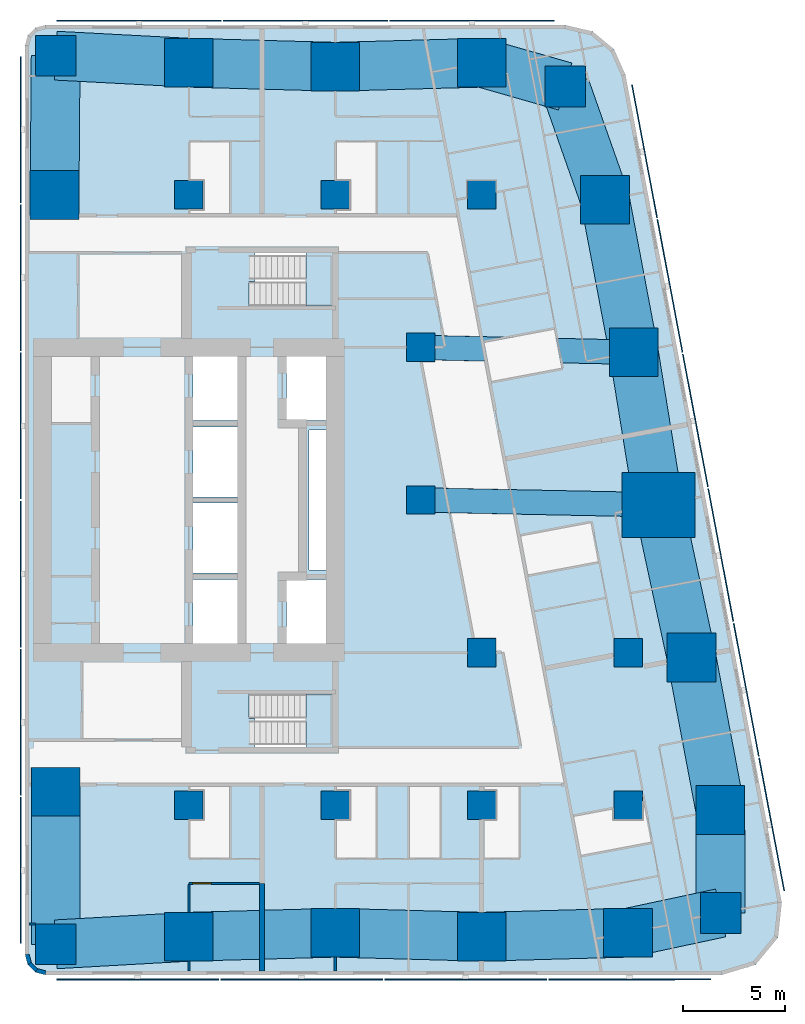
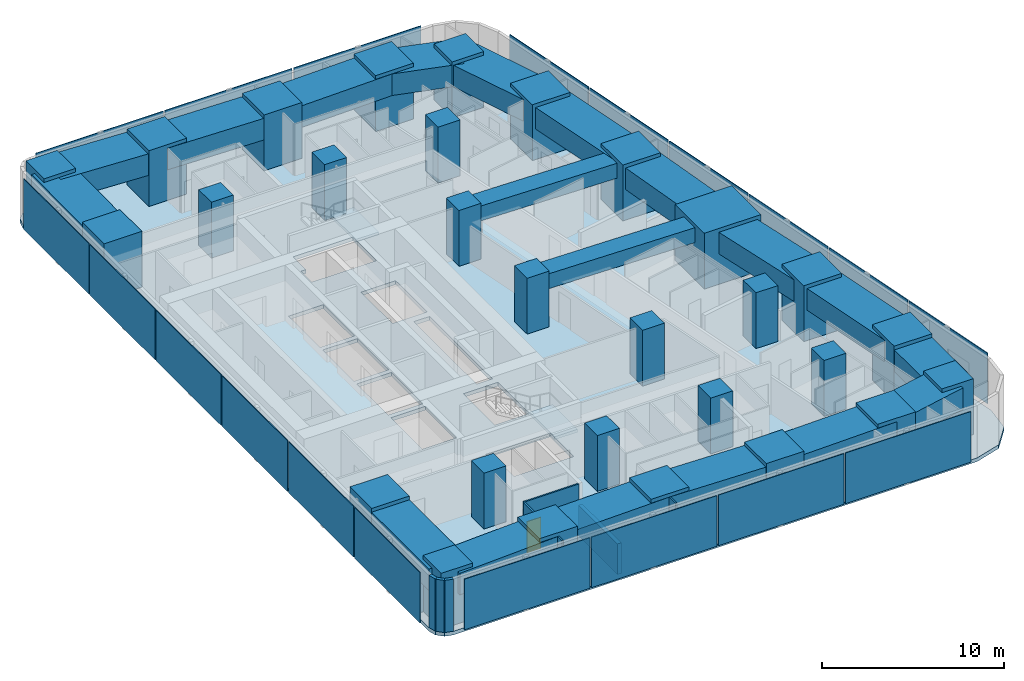
# One storey, part 1 of 10: 29 columns, 19 beams, 19 plates, 9 walls, 3 slabs, 1 door, 1 opening, 2 elements without a shape of their own.
"""IFC4 building model written with IfcOpenShell, lengths in metres."""

from ifc_helpers import new_model, si_unit, direction, frame, frame_2d, origin, origin_2d, place, context, subcontext, project, spatial, polyline, rectangle, outline, extrude, material, layer, layer_set, material_profile, profile_set, type_object, element, fill, aggregate, save


model = new_model("IFC4")

# Units and contexts
model_context = context("Model", 3, precision=1e-05, world=origin(), true_north=direction((0.0, 1.0)))
body_context = subcontext(model_context, "Body", "Model", "MODEL_VIEW")
ifc_project = project(units=[si_unit("LENGTHUNIT", "METRE"), si_unit("AREAUNIT", "SQUARE_METRE"), si_unit("VOLUMEUNIT", "CUBIC_METRE"), si_unit("PLANEANGLEUNIT", "RADIAN"), si_unit("MASSUNIT", "GRAM", prefix="KILO")], contexts=[model_context])

# Site, building, storey
site_placement = place(None, origin())
site = spatial("IfcSite", under=ifc_project, at=site_placement, CompositionType="ELEMENT")
building_placement = place(site_placement, origin())
building = spatial("IfcBuilding", under=site, at=building_placement, Name="Sheger Commons Tower", CompositionType="ELEMENT")
storey_placement = place(building_placement, frame((0.0, 0.0, 231.199951171875)))
storey = spatial("IfcBuildingStorey", under=building, at=storey_placement, Name="L59", CompositionType="ELEMENT", Elevation=231.199951171875)

# Columns
ifc_material_1 = material(Name="Concrete C50/60", Category="concrete")
ifc_material_profile_1 = material_profile(ifc_material_1, rectangle(XDim=3.60009765625, YDim=3.199951171875, at=origin_2d()), Name="RC 3600x3200")
ifc_profile_set_1 = profile_set([ifc_material_profile_1], Name="Concrete C50/60")
column_type_1 = type_object("IfcColumnType", Name="COLUMN PIER RC 3600x3200", PredefinedType="COLUMN", material=ifc_profile_set_1)
column_placement = place(storey_placement, frame((44.697021484375, 22.262939453125, 0.0), z_axis=(0.0, 0.0, 1.0), x_axis=(1.0, 0.0, 0.0)))
element("IfcColumn", 1, at=column_placement, inside=storey, type_object=column_type_1, Name="Pier 7/D+E/D L59", PredefinedType="COLUMN", context=body_context, shape_type="SweptSolid", body=[
    extrude(rectangle(XDim=3.60009765625, YDim=3.199951171875, at=origin_2d()), origin(), (0.0, 0.0, 1.0), 3.75),
])
ifc_material_2 = material(Name="Concrete C50/60", Category="concrete")
ifc_material_profile_2 = material_profile(ifc_material_2, rectangle(XDim=1.39990234375, YDim=1.39990234375, at=origin_2d()), Name="RC 1400x1400")
ifc_profile_set_2 = profile_set([ifc_material_profile_2], Name="Concrete C50/60")
column_type_2 = type_object("IfcColumnType", Name="COLUMN RC 1400x1400", PredefinedType="COLUMN", material=ifc_profile_set_2)
for number, where, z_axis, x_axis, name in (
    (2, (21.60009765625, 7.5, 0.0), (0.0, 0.0, 1.0), (1.0, 0.0, 0.0), "Column 4/B L59"),
    (3, (28.800048828125, 7.5, 0.0), (0.0, 0.0, 1.0), (1.0, 0.0, 0.0), "Column 5/B L59"),
    (4, (36.0, 7.5, 0.0), (0.0, 0.0, 1.0), (1.0, 0.0, 0.0), "Column 6/B L59"),
    (5, (43.199951171875, 7.5, 0.0), (0.0, 0.0, 1.0), (1.0, 0.0, 0.0), "Column 7/B L59"),
    (6, (36.0, 15.0, 0.0), (0.0, 0.0, 1.0), (1.0, 0.0, 0.0), "Column 6/C L59"),
    (7, (43.199951171875, 15.0, 0.0), (0.0, 0.0, 1.0), (1.0, 0.0, 0.0), "Column 7/C L59"),
    (8, (33.0, 22.5, 0.0), (0.0, 0.0, 1.0), (1.0, 0.0, 0.0), "Column 6-3000/D L59"),
    (9, (33.0, 30.0, 0.0), (0.0, 0.0, 1.0), (1.0, 0.0, 0.0), "Column 6-3000/E L59"),
    (10, (21.60009765625, 37.5, 0.0), (0.0, 0.0, 1.0), (1.0, 0.0, 0.0), "Column 4/F L59"),
    (11, (28.800048828125, 37.5, 0.0), (0.0, 0.0, 1.0), (1.0, 0.0, 0.0), "Column 5/F L59"),
    (12, (36.0, 37.5, 0.0), (0.0, 0.0, 1.0), (1.0, 0.0, 0.0), "Column 6/F L59"),
):
    element("IfcColumn", number, at=place(storey_placement, frame(where, z_axis=z_axis, x_axis=x_axis)), inside=storey, type_object=column_type_2, Name=name, PredefinedType="COLUMN", context=body_context, shape_type="SweptSolid", body=[
        extrude(rectangle(XDim=1.39990234375, YDim=1.39990234375, at=origin_2d()), origin(), (0.0, 0.0, 1.0), 3.75),
    ])
ifc_material_3 = material(Name="Concrete C50/60", Category="concrete")
ifc_material_profile_3 = material_profile(ifc_material_3, rectangle(XDim=2.0, YDim=2.0, at=origin_2d()), Name="RC 2000x2000")
ifc_profile_set_3 = profile_set([ifc_material_profile_3], Name="Concrete C50/60")
column_type_3 = type_object("IfcColumnType", Name="COLUMN RC 2000x2000", PredefinedType="COLUMN", material=ifc_profile_set_3)
for number, where, z_axis, x_axis, name in (
    (13, (15.053955078125, 0.654052734375, 0.0), (0.0, 0.0, 1.0), (1.0, 0.0, 0.0), "Column 3/A L59"),
    (14, (47.748046875, 2.197021484375, 0.0), (0.0, 0.0, 1.0), (1.0, 0.0, 0.0), "Column 49.461,0.778 L59"),
    (15, (40.10205078125, 42.830078125, 0.0), (0.0, 0.0, 1.0), (1.0, 0.0, 0.0), "Column 41.490,44.505 L59"),
    (16, (15.053955078125, 44.345947265625, 0.0), (0.0, 0.0, 1.0), (1.0, 0.0, 0.0), "Column 3/G L59"),
):
    element("IfcColumn", number, at=place(storey_placement, frame(where, z_axis=z_axis, x_axis=x_axis)), inside=storey, type_object=column_type_3, Name=name, PredefinedType="COLUMN", context=body_context, shape_type="SweptSolid", body=[
        extrude(rectangle(XDim=2.0, YDim=2.0, at=origin_2d()), origin(), (0.0, 0.0, 1.0), 3.75),
    ])
ifc_material_4 = material(Name="Concrete C50/60", Category="concrete")
ifc_material_profile_4 = material_profile(ifc_material_4, rectangle(XDim=2.39990234375, YDim=2.39990234375, at=origin_2d()), Name="RC 2400x2400")
ifc_profile_set_4 = profile_set([ifc_material_profile_4], Name="Concrete C50/60")
column_type_4 = type_object("IfcColumnType", Name="COLUMN RC 2400x2400", PredefinedType="COLUMN", material=ifc_profile_set_4)
for number, where, z_axis, x_axis, name in (
    (17, (21.60009765625, 1.02490234375, 0.0), (0.0, 0.0, 1.0), (1.0, 0.0, 0.0), "Column 4/A L59"),
    (18, (28.800048828125, 1.22509765625, 0.0), (0.0, 0.0, 1.0), (1.0, 0.0, 0.0), "Column 5/A L59"),
    (19, (36.0, 1.02490234375, 0.0), (0.0, 0.0, 1.0), (1.0, 0.0, 0.0), "Column 6/A L59"),
    (20, (43.199951171875, 1.22509765625, 0.0), (0.0, 0.0, 1.0), (1.0, 0.0, 0.0), "Column 7/A L59"),
    (21, (15.053955078125, 8.154052734375, 0.0), (0.0, 0.0, 1.0), (1.0, 0.0, 0.0), "Column 3/B L59"),
    (22, (47.72998046875, 7.262939453125, 0.0), (0.0, 0.0, 1.0), (1.0, 0.0, 0.0), "Column E/B L59"),
    (23, (46.31396484375, 14.762939453125, 0.0), (0.0, 0.0, 1.0), (1.0, 0.0, 0.0), "Column E/C L59"),
    (24, (43.47998046875, 29.762939453125, 0.0), (0.0, 0.0, 1.0), (1.0, 0.0, 0.0), "Column E/E L59"),
    (25, (15.0, 37.5, 0.0), (0.0, 0.0, 1.0), (1.0, 0.0, 0.0), "Column 3/F L59"),
    (26, (42.06396484375, 37.262939453125, 0.0), (0.0, 0.0, 1.0), (1.0, 0.0, 0.0), "Column E/F L59"),
    (27, (21.60009765625, 44.0, 0.0), (0.0, 0.0, 1.0), (1.0, 0.0, 0.0), "Column 4/G L59"),
    (28, (28.800048828125, 43.800048828125, 0.0), (0.0, 0.0, 1.0), (1.0, 0.0, 0.0), "Column 5/G L59"),
    (29, (36.0, 44.0, 0.0), (0.0, 0.0, 1.0), (1.0, 0.0, 0.0), "Column 6/G L59"),
):
    element("IfcColumn", number, at=place(storey_placement, frame(where, z_axis=z_axis, x_axis=x_axis)), inside=storey, type_object=column_type_4, Name=name, PredefinedType="COLUMN", context=body_context, shape_type="SweptSolid", body=[
        extrude(rectangle(XDim=2.39990234375, YDim=2.39990234375, at=origin_2d()), origin(), (0.0, 0.0, 1.0), 3.75),
    ])

# Beams
ifc_material_5 = material(Name="Concrete C50/60", Category="concrete")
ifc_material_profile_5 = material_profile(ifc_material_5, rectangle(XDim=1.199951171875, YDim=1.0, at=origin_2d()), Name="RC 1200x1000")
ifc_profile_set_5 = profile_set([ifc_material_profile_5], Name="Concrete C50/60")
beam_type_1 = type_object("IfcBeamType", Name="BEAM RC 1200x1000", PredefinedType="BEAM", material=ifc_profile_set_5)
beam_1_placement = place(storey_placement, frame((33.0, 22.5, 3.0), z_axis=(0.999794692776, -0.02026258368, 0.0), x_axis=(0.02026258368, 0.999794692776, 0.0)))
element("IfcBeam", 30, at=beam_1_placement, inside=storey, type_object=beam_type_1, Name="Beam 6-3000/D-7/D under L60", PredefinedType="BEAM", context=body_context, shape_type="SweptSolid", body=[
    extrude(rectangle(XDim=1.199951171875, YDim=1.0, at=origin_2d()), origin(), (0.0, 0.0, 1.0), 11.699462890625),
])
beam_2_placement = place(storey_placement, frame((33.0, 30.0, 3.0), z_axis=(0.999744258625, -0.022614538395, 0.0), x_axis=(0.022614538395, 0.999744258625, 0.0)))
element("IfcBeam", 31, at=beam_2_placement, inside=storey, type_object=beam_type_1, Name="Beam 6-3000/E-E/E under L60", PredefinedType="BEAM", context=body_context, shape_type="SweptSolid", body=[
    extrude(rectangle(XDim=1.199951171875, YDim=1.0, at=origin_2d()), origin(), (0.0, 0.0, 1.0), 10.482666015625),
])
ifc_material_6 = material(Name="Concrete C50/60", Category="concrete")
ifc_material_profile_6 = material_profile(ifc_material_6, rectangle(XDim=2.39990234375, YDim=1.449951171875, at=origin_2d()), Name="RC 2400x1450")
ifc_profile_set_6 = profile_set([ifc_material_profile_6], Name="Concrete C50/60")
beam_type_2 = type_object("IfcBeamType", Name="SPANDREL RC 2400x1450", PredefinedType="SPANDREL", material=ifc_profile_set_6)
beam_3_placement = place(storey_placement, frame((15.053955078125, 0.654052734375, 2.775146484375), z_axis=(0.998399149044, 0.056560933405, 0.0), x_axis=(-0.056560933405, 0.998399149044, 0.0)))
element("IfcBeam", 32, at=beam_3_placement, inside=storey, type_object=beam_type_2, Name="Beam 3/A-4/A under L60", PredefinedType="SPANDREL", context=body_context, shape_type="SweptSolid", body=[
    extrude(rectangle(XDim=2.39990234375, YDim=1.449951171875, at=origin_2d()), origin(), (0.0, 0.0, 1.0), 6.556640625),
])
for number, where, z_axis, x_axis, name in (
    (33, (21.60009765625, 1.02490234375, 2.775146484375), (0.9996136624, 0.027794350926, 0.0), (-0.027794350926, 0.9996136624, 0.0), "Beam 4/A-5/A under L60"),
    (34, (28.800048828125, 1.22509765625, 2.775146484375), (0.9996136624, -0.027794350926, 0.0), (0.027794350926, 0.9996136624, 0.0), "Beam 5/A-6/A under L60"),
    (35, (36.0, 1.02490234375, 2.775146484375), (0.9996136624, 0.027794350926, 0.0), (-0.027794350926, 0.9996136624, 0.0), "Beam 6/A-7/A under L60"),
):
    element("IfcBeam", number, at=place(storey_placement, frame(where, z_axis=z_axis, x_axis=x_axis)), inside=storey, type_object=beam_type_2, Name=name, PredefinedType="SPANDREL", context=body_context, shape_type="SweptSolid", body=[
        extrude(rectangle(XDim=2.39990234375, YDim=1.449951171875, at=origin_2d()), origin(), (0.0, 0.0, 1.0), 7.20263671875),
    ])
beam_4_placement = place(storey_placement, frame((43.199951171875, 1.22509765625, 2.775146484375), z_axis=(0.977919796671, 0.208980552394, 0.0), x_axis=(-0.208980552394, 0.977919796671, 0.0)))
element("IfcBeam", 36, at=beam_4_placement, inside=storey, type_object=beam_type_2, Name="Beam 7/A-49.461,0.778 under L60", PredefinedType="SPANDREL", context=body_context, shape_type="SweptSolid", body=[
    extrude(rectangle(XDim=2.39990234375, YDim=1.449951171875, at=origin_2d()), origin(), (0.0, 0.0, 1.0), 4.65087890625),
])
beam_5_placement = place(storey_placement, frame((47.748046875, 2.197021484375, 2.775146484375), z_axis=(-0.003566242382, 0.999993640937, 0.0), x_axis=(-0.999993640937, -0.003566242382, 0.0)))
element("IfcBeam", 37, at=beam_5_placement, inside=storey, type_object=beam_type_2, Name="Beam 49.461,0.778-E/B under L60", PredefinedType="SPANDREL", context=body_context, shape_type="SweptSolid", body=[
    extrude(rectangle(XDim=2.39990234375, YDim=1.449951171875, at=origin_2d()), origin(), (0.0, 0.0, 1.0), 5.06591796875),
])
beam_6_placement = place(storey_placement, frame((47.72998046875, 7.262939453125, 2.775146484375), z_axis=(-0.18552441405, 0.982639655108, 0.0), x_axis=(-0.982639655108, -0.18552441405, 0.0)))
element("IfcBeam", 38, at=beam_6_placement, inside=storey, type_object=beam_type_2, Name="Beam E/B-E/C under L60", PredefinedType="SPANDREL", context=body_context, shape_type="SweptSolid", body=[
    extrude(rectangle(XDim=2.39990234375, YDim=1.449951171875, at=origin_2d()), origin(), (0.0, 0.0, 1.0), 7.632568359375),
])
beam_7_placement = place(storey_placement, frame((46.31396484375, 14.762939453125, 2.775146484375), z_axis=(-0.210750229323, 0.977539943348, 0.0), x_axis=(-0.977539943348, -0.210750229323, 0.0)))
element("IfcBeam", 39, at=beam_7_placement, inside=storey, type_object=beam_type_2, Name="Beam E/C-E/D under L60", PredefinedType="SPANDREL", context=body_context, shape_type="SweptSolid", body=[
    extrude(rectangle(XDim=2.39990234375, YDim=1.449951171875, at=origin_2d()), origin(), (0.0, 0.0, 1.0), 7.67236328125),
])
beam_8_placement = place(storey_placement, frame((44.697021484375, 22.262939453125, 2.775146484375), z_axis=(-0.160176929512, 0.987088319884, 0.0), x_axis=(-0.987088319884, -0.160176929512, 0.0)))
element("IfcBeam", 40, at=beam_8_placement, inside=storey, type_object=beam_type_2, Name="Beam E/D-E/E under L60", PredefinedType="SPANDREL", context=body_context, shape_type="SweptSolid", body=[
    extrude(rectangle(XDim=2.39990234375, YDim=1.449951171875, at=origin_2d()), origin(), (0.0, 0.0, 1.0), 7.59814453125),
])
beam_9_placement = place(storey_placement, frame((43.47998046875, 29.762939453125, 2.775146484375), z_axis=(-0.18552441405, 0.982639655108, 0.0), x_axis=(-0.982639655108, -0.18552441405, 0.0)))
element("IfcBeam", 41, at=beam_9_placement, inside=storey, type_object=beam_type_2, Name="Beam E/E-E/F under L60", PredefinedType="SPANDREL", context=body_context, shape_type="SweptSolid", body=[
    extrude(rectangle(XDim=2.39990234375, YDim=1.449951171875, at=origin_2d()), origin(), (0.0, 0.0, 1.0), 7.632568359375),
])
beam_10_placement = place(storey_placement, frame((42.06396484375, 37.262939453125, 2.775146484375), z_axis=(-0.332374403357, 0.943147526102, 0.0), x_axis=(-0.943147526102, -0.332374403357, 0.0)))
element("IfcBeam", 42, at=beam_10_placement, inside=storey, type_object=beam_type_2, Name="Beam E/F-41.490,44.505 under L60", PredefinedType="SPANDREL", context=body_context, shape_type="SweptSolid", body=[
    extrude(rectangle(XDim=2.39990234375, YDim=1.449951171875, at=origin_2d()), origin(), (0.0, 0.0, 1.0), 5.90283203125),
])
beam_11_placement = place(storey_placement, frame((40.10205078125, 42.830078125, 2.775146484375), z_axis=(-0.961653428129, 0.274267541221, 0.0), x_axis=(-0.274267541221, -0.961653428129, 0.0)))
element("IfcBeam", 43, at=beam_11_placement, inside=storey, type_object=beam_type_2, Name="Beam 41.490,44.505-6/G under L60", PredefinedType="SPANDREL", context=body_context, shape_type="SweptSolid", body=[
    extrude(rectangle(XDim=2.39990234375, YDim=1.449951171875, at=origin_2d()), origin(), (0.0, 0.0, 1.0), 4.265625),
])
for number, where, z_axis, x_axis, name in (
    (44, (36.0, 44.0, 2.775146484375), (-0.999614603568, -0.027760481514, 0.0), (0.027760481514, -0.999614603568, 0.0), "Beam 6/G-5/G under L60"),
    (45, (28.800048828125, 43.800048828125, 2.775146484375), (-0.999614603568, 0.027760481514, 0.0), (-0.027760481514, -0.999614603568, 0.0), "Beam 5/G-4/G under L60"),
):
    element("IfcBeam", number, at=place(storey_placement, frame(where, z_axis=z_axis, x_axis=x_axis)), inside=storey, type_object=beam_type_2, Name=name, PredefinedType="SPANDREL", context=body_context, shape_type="SweptSolid", body=[
        extrude(rectangle(XDim=2.39990234375, YDim=1.449951171875, at=origin_2d()), origin(), (0.0, 0.0, 1.0), 7.20263671875),
    ])
beam_12_placement = place(storey_placement, frame((21.60009765625, 44.0, 2.775146484375), z_axis=(-0.998606489137, 0.052773855783, 0.0), x_axis=(-0.052773855783, -0.998606489137, 0.0)))
element("IfcBeam", 46, at=beam_12_placement, inside=storey, type_object=beam_type_2, Name="Beam 4/G-3/G under L60", PredefinedType="SPANDREL", context=body_context, shape_type="SweptSolid", body=[
    extrude(rectangle(XDim=2.39990234375, YDim=1.449951171875, at=origin_2d()), origin(), (0.0, 0.0, 1.0), 6.55517578125),
])
beam_13_placement = place(storey_placement, frame((15.053955078125, 44.345947265625, 2.775146484375), z_axis=(-0.00788107188, -0.999968943871, 0.0), x_axis=(0.999968943871, -0.00788107188, 0.0)))
element("IfcBeam", 47, at=beam_13_placement, inside=storey, type_object=beam_type_2, Name="Beam 3/G-3/F under L60", PredefinedType="SPANDREL", context=body_context, shape_type="SweptSolid", body=[
    extrude(rectangle(XDim=2.39990234375, YDim=1.449951171875, at=origin_2d()), origin(), (0.0, 0.0, 1.0), 6.84619140625),
])
beam_14_placement = place(storey_placement, frame((15.053955078125, 8.154052734375, 2.775146484375), z_axis=(0.0, -1.0, 0.0), x_axis=(1.0, 0.0, 0.0)))
element("IfcBeam", 48, at=beam_14_placement, inside=storey, type_object=beam_type_2, Name="Beam 3/B-3/A under L60", PredefinedType="SPANDREL", context=body_context, shape_type="SweptSolid", body=[
    extrude(rectangle(XDim=2.39990234375, YDim=1.449951171875, at=origin_2d()), origin(), (0.0, 0.0, 1.0), 7.5),
])

# Slab
ifc_material_7 = material(Name="Concrete C35/45", Category="concrete")
ifc_layer_1 = layer(ifc_material_7, 0.25)
ifc_layer_set_1 = layer_set([ifc_layer_1], Name="SLAB FLOOR 250")
slab_type_1 = type_object("IfcSlabType", Name="SLAB FLOOR 250", PredefinedType="FLOOR", material=ifc_layer_set_1)
slab_1_placement = place(storey_placement, frame((0.0, 0.0, -0.25)))
element("IfcSlab", 49, at=slab_1_placement, inside=storey, type_object=slab_type_1, Name="L59 floor slab", PredefinedType="FLOOR", context=body_context, shape_type="SweptSolid", body=[
    extrude(outline(polyline([(13.550048828125, 0.14990234375), (13.68408203125, -0.35009765625), (14.050048828125, -0.716064453125), (14.550048828125, -0.85009765625), (47.805908203125, -0.85009765625), (49.465087890625, -0.35009765625), (50.570068359375, 0.98388671875), (50.75390625, 2.70703125), (43.06591796875, 43.406982421875), (42.509033203125, 44.660888671875), (41.452880859375, 45.535888671875), (40.117919921875, 45.85009765625), (14.550048828125, 45.85009765625), (14.050048828125, 45.716064453125), (13.68408203125, 45.35009765625), (13.550048828125, 44.85009765625), (13.550048828125, 0.14990234375)]), holes=[polyline([(24.85009765625, 10.35009765625), (28.64990234375, 10.35009765625), (28.64990234375, 12.949951171875), (24.551025390625, 12.949951171875), (24.551025390625, 11.75), (24.85009765625, 11.75), (24.85009765625, 10.35009765625)]), polyline([(24.551025390625, 32.050048828125), (28.64990234375, 32.050048828125), (28.64990234375, 34.64990234375), (24.85009765625, 34.64990234375), (24.85009765625, 33.25), (24.551025390625, 33.25), (24.551025390625, 32.050048828125)]), polyline([(26.39990234375, 15.14990234375), (28.60009765625, 15.14990234375), (28.60009765625, 18.60009765625), (26.39990234375, 18.60009765625), (26.39990234375, 15.14990234375)]), polyline([(26.39990234375, 26.39990234375), (28.60009765625, 26.39990234375), (28.60009765625, 29.85009765625), (26.39990234375, 29.85009765625), (26.39990234375, 26.39990234375)]), polyline([(21.800048828125, 15.14990234375), (24.0, 15.14990234375), (24.0, 18.60009765625), (21.800048828125, 18.60009765625), (21.800048828125, 15.14990234375)]), polyline([(21.800048828125, 18.89990234375), (24.0, 18.89990234375), (24.0, 22.35009765625), (21.800048828125, 22.35009765625), (21.800048828125, 18.89990234375)]), polyline([(21.800048828125, 22.64990234375), (24.0, 22.64990234375), (24.0, 26.10009765625), (21.800048828125, 26.10009765625), (21.800048828125, 22.64990234375)]), polyline([(21.800048828125, 26.39990234375), (24.0, 26.39990234375), (24.0, 29.85009765625), (21.800048828125, 29.85009765625), (21.800048828125, 26.39990234375)]), polyline([(27.5, 19.050048828125), (28.5, 19.050048828125), (28.5, 25.949951171875), (27.5, 25.949951171875), (27.5, 19.050048828125)])]), origin(), (0.0, 0.0, 1.0), 0.25),
])

# Plates
ifc_material_8 = material(Name="Perforated black anodised aluminium screen", Category="aluminium")
ifc_layer_2 = layer(ifc_material_8, 0.050048828125)
ifc_layer_set_2 = layer_set([ifc_layer_2], Name="SOLAR SCREEN SCREEN-1")
plate_type = type_object("IfcPlateType", Name="SOLAR SCREEN SCREEN-1", PredefinedType="USERDEFINED", material=ifc_layer_set_2)
for number, where, z_axis, x_axis, name in (
    (50, (19.08203125, -1.074951171875, 0.050048828125), (0.0, 0.0, 1.0), (1.0, 0.0, 0.0), "Perforated solar screen panel"),
    (51, (27.14599609375, -1.074951171875, 0.050048828125), (0.0, 0.0, 1.0), (1.0, 0.0, 0.0), "Perforated solar screen panel"),
    (52, (35.2099609375, -1.074951171875, 0.050048828125), (0.0, 0.0, 1.0), (1.0, 0.0, 0.0), "Perforated solar screen panel"),
    (53, (43.27392578125, -1.074951171875, 0.050048828125), (0.0, 0.0, 1.0), (1.0, 0.0, 0.0), "Perforated solar screen panel"),
):
    element("IfcPlate", number, at=place(storey_placement, frame(where, z_axis=z_axis, x_axis=x_axis)), inside=storey, type_object=plate_type, Name=name, ObjectType="SCREEN", PredefinedType="USERDEFINED", context=body_context, shape_type="SweptSolid", body=[
        extrude(rectangle(XDim=7.964111328125, YDim=0.050048828125, at=origin_2d()), origin(), (0.0, 0.0, 1.0), 3.39990234375),
    ])
for number, where, z_axis, x_axis, name in (
    (54, (50.257080078125, 6.550048828125, 0.050048828125), (0.0, 0.0, 1.0), (-0.185615165645, 0.982622516678, 0.0), "Perforated solar screen panel"),
    (55, (49.007080078125, 13.1689453125, 0.050048828125), (0.0, 0.0, 1.0), (-0.185615165645, 0.982622516678, 0.0), "Perforated solar screen panel"),
    (56, (47.756103515625, 19.7890625, 0.050048828125), (0.0, 0.0, 1.0), (-0.185615165645, 0.982622516678, 0.0), "Perforated solar screen panel"),
    (57, (46.506103515625, 26.408935546875, 0.050048828125), (0.0, 0.0, 1.0), (-0.185615165645, 0.982622516678, 0.0), "Perforated solar screen panel"),
    (58, (45.2548828125, 33.028076171875, 0.050048828125), (0.0, 0.0, 1.0), (-0.185615165645, 0.982622516678, 0.0), "Perforated solar screen panel"),
    (59, (44.0048828125, 39.64794921875, 0.050048828125), (0.0, 0.0, 1.0), (-0.185615165645, 0.982622516678, 0.0), "Perforated solar screen panel"),
):
    element("IfcPlate", number, at=place(storey_placement, frame(where, z_axis=z_axis, x_axis=x_axis)), inside=storey, type_object=plate_type, Name=name, ObjectType="SCREEN", PredefinedType="USERDEFINED", context=body_context, shape_type="SweptSolid", body=[
        extrude(rectangle(XDim=6.636962890625, YDim=0.050048828125, at=origin_2d()), origin(), (0.0, 0.0, 1.0), 3.39990234375),
    ])
for number, where, z_axis, x_axis, name in (
    (60, (35.52294921875, 46.074951171875, 0.050048828125), (0.0, 0.0, 1.0), (-1.0, 0.0, 0.0), "Perforated solar screen panel"),
    (61, (27.333984375, 46.074951171875, 0.050048828125), (0.0, 0.0, 1.0), (-1.0, 0.0, 0.0), "Perforated solar screen panel"),
    (62, (19.14501953125, 46.074951171875, 0.050048828125), (0.0, 0.0, 1.0), (-1.0, 0.0, 0.0), "Perforated solar screen panel"),
):
    element("IfcPlate", number, at=place(storey_placement, frame(where, z_axis=z_axis, x_axis=x_axis)), inside=storey, type_object=plate_type, Name=name, ObjectType="SCREEN", PredefinedType="USERDEFINED", context=body_context, shape_type="SweptSolid", body=[
        extrude(rectangle(XDim=8.089111328125, YDim=0.050048828125, at=origin_2d()), origin(), (0.0, 0.0, 1.0), 3.39990234375),
    ])
for number, where, z_axis, x_axis, name in (
    (63, (13.324951171875, 40.7080078125, 0.050048828125), (0.0, 0.0, 1.0), (0.0, -1.0, 0.0), "Perforated solar screen panel"),
    (64, (13.324951171875, 33.425048828125, 0.050048828125), (0.0, 0.0, 1.0), (0.0, -1.0, 0.0), "Perforated solar screen panel"),
    (65, (13.324951171875, 26.14208984375, 0.050048828125), (0.0, 0.0, 1.0), (0.0, -1.0, 0.0), "Perforated solar screen panel"),
    (66, (13.324951171875, 18.85791015625, 0.050048828125), (0.0, 0.0, 1.0), (0.0, -1.0, 0.0), "Perforated solar screen panel"),
    (67, (13.324951171875, 11.574951171875, 0.050048828125), (0.0, 0.0, 1.0), (0.0, -1.0, 0.0), "Perforated solar screen panel"),
    (68, (13.324951171875, 4.2919921875, 0.050048828125), (0.0, 0.0, 1.0), (0.0, -1.0, 0.0), "Perforated solar screen panel"),
):
    element("IfcPlate", number, at=place(storey_placement, frame(where, z_axis=z_axis, x_axis=x_axis)), inside=storey, type_object=plate_type, Name=name, ObjectType="SCREEN", PredefinedType="USERDEFINED", context=body_context, shape_type="SweptSolid", body=[
        extrude(rectangle(XDim=7.18310546875, YDim=0.050048828125, at=origin_2d()), origin(), (0.0, 0.0, 1.0), 3.39990234375),
    ])

# Stair, slab
ifc_material_9 = material(Name="Concrete C35/45", Category="concrete")
stair_type = type_object("IfcStairType", Name="HALF-TURN STAIR 1200 RISE 3750", PredefinedType="HALF_TURN_STAIR", material=ifc_material_9)
stair_1_placement = place(storey_placement, origin())
stair_1 = element("IfcStair", 69, at=stair_1_placement, inside=storey, type_object=stair_type, Name="Stair S1 L59", PredefinedType="HALF_TURN_STAIR")
ifc_material_10 = material(Name="Concrete C35/45", Category="concrete")
ifc_layer_3 = layer(ifc_material_10, 0.199951171875)
ifc_layer_set_3 = layer_set([ifc_layer_3], Name="STAIR LANDING 200")
slab_type_2 = type_object("IfcSlabType", Name="STAIR LANDING 200", PredefinedType="LANDING", material=ifc_layer_set_3)
slab_2_placement = place(storey_placement, frame((0.0, 0.0, 1.675048828125)))
slab_2 = element("IfcSlab", 70, at=slab_2_placement, type_object=slab_type_2, Name="S1 landing 1", PredefinedType="LANDING", context=body_context, shape_type="SweptSolid", body=[
    extrude(outline(polyline([(27.35009765625, 10.199951171875), (28.800048828125, 10.199951171875), (28.800048828125, 12.949951171875), (27.35009765625, 12.949951171875), (27.35009765625, 10.199951171875)])), origin(), (0.0, 0.0, 1.0), 0.199951171875),
])
aggregate(stair_1, [slab_2])

stair_2_placement = place(storey_placement, origin())
stair_2 = element("IfcStair", 71, at=stair_2_placement, inside=storey, type_object=stair_type, Name="Stair S2 L59", PredefinedType="HALF_TURN_STAIR")
slab_3_placement = place(storey_placement, frame((0.0, 0.0, 1.675048828125)))
slab_3 = element("IfcSlab", 72, at=slab_3_placement, type_object=slab_type_2, Name="S2 landing 1", PredefinedType="LANDING", context=body_context, shape_type="SweptSolid", body=[
    extrude(outline(polyline([(27.35009765625, 32.050048828125), (28.800048828125, 32.050048828125), (28.800048828125, 34.800048828125), (27.35009765625, 34.800048828125), (27.35009765625, 32.050048828125)])), origin(), (0.0, 0.0, 1.0), 0.199951171875),
])
aggregate(stair_2, [slab_3])

# Walls
ifc_material_11 = material(Name="Dense concrete block masonry, plastered both sides (separating wall between flats)", Category="masonry")
ifc_layer_4 = layer(ifc_material_11, 0.25)
ifc_layer_set_4 = layer_set([ifc_layer_4], Name="DEMISING WALL 250")
wall_type_1 = type_object("IfcWallType", Name="DEMISING WALL 250", PredefinedType="SOLIDWALL", material=ifc_layer_set_4)
wall_1_placement = place(storey_placement, frame((25.199951171875, -0.64990234375, 0.0), z_axis=(0.0, 0.0, 1.0), x_axis=(0.0, 1.0, 0.0)))
element("IfcWall", 73, at=wall_1_placement, inside=storey, type_object=wall_type_1, Name="Demising wall L59", PredefinedType="SOLIDWALL", context=body_context, shape_type="SweptSolid", body=[
    extrude(rectangle(XDim=4.2998046875, YDim=0.25, at=frame_2d((2.14990234375, 0.0))), origin(), (0.0, 0.0, 1.0), 2.050048828125),
])
ifc_material_12 = material(Name="Rendered concrete block masonry, dark grey", Category="masonry")
ifc_layer_5 = layer(ifc_material_12, 0.199951171875)
ifc_layer_set_5 = layer_set([ifc_layer_5], Name="FACADE WALL 200")
wall_type_2 = type_object("IfcWallType", Name="FACADE WALL 200", PredefinedType="SOLIDWALL", material=ifc_layer_set_5)
wall_2_placement = place(storey_placement, frame((13.64990234375, 0.1630859375, 0.0), z_axis=(0.0, 0.0, 1.0), x_axis=(0.259698463175, -0.965689757751, 0.0)))
element("IfcWall", 74, at=wall_2_placement, inside=storey, type_object=wall_type_2, Name="Facade wall L59", PredefinedType="SOLIDWALL", context=body_context, shape_type="SweptSolid", body=[
    extrude(rectangle(XDim=0.4775390625, YDim=0.199951171875, at=frame_2d((0.23876953125, 0.0))), origin(), (0.0, 0.0, 1.0), 3.5),
])
wall_3_placement = place(storey_placement, frame((13.77392578125, -0.298095703125, 0.0), z_axis=(0.0, 0.0, 1.0), x_axis=(0.707369890659, -0.706843573776, 0.0)))
element("IfcWall", 75, at=wall_3_placement, inside=storey, type_object=wall_type_2, Name="Facade wall L59", PredefinedType="SOLIDWALL", context=body_context, shape_type="SweptSolid", body=[
    extrude(rectangle(XDim=0.4638671875, YDim=0.199951171875, at=frame_2d((0.23193359375, 0.0))), origin(), (0.0, 0.0, 1.0), 3.5),
])
wall_4_placement = place(storey_placement, frame((14.10205078125, -0.6259765625, 0.0), z_axis=(0.0, 0.0, 1.0), x_axis=(0.965655254015, -0.259826731483, 0.0)))
element("IfcWall", 76, at=wall_4_placement, inside=storey, type_object=wall_type_2, Name="Facade wall L59", PredefinedType="SOLIDWALL", context=body_context, shape_type="SweptSolid", body=[
    extrude(rectangle(XDim=0.477294921875, YDim=0.199951171875, at=frame_2d((0.23876953125, 0.0))), origin(), (0.0, 0.0, 1.0), 3.5),
])
ifc_material_13 = material(Name="Gypsum board on steel studs", Category="steel")
ifc_layer_6 = layer(ifc_material_13, 0.10009765625)
ifc_layer_set_6 = layer_set([ifc_layer_6], Name="PARTITION 100")
wall_type_3 = type_object("IfcWallType", Name="PARTITION 100", PredefinedType="PARTITIONING", material=ifc_layer_set_6)
wall_5_placement = place(storey_placement, frame((13.75, 1.654052734375, 0.0), z_axis=(0.0, 0.0, 1.0), x_axis=(1.0, 0.0, 0.0)))
element("IfcWall", 77, at=wall_5_placement, inside=storey, type_object=wall_type_3, Name="Partition L59", PredefinedType="PARTITIONING", context=body_context, shape_type="SweptSolid", body=[
    extrude(rectangle(XDim=0.303955078125, YDim=0.10009765625, at=frame_2d((0.15185546875, 0.0))), origin(), (0.0, 0.0, 1.0), 2.050048828125),
])

# Wall, opening, door
wall_6_placement = place(storey_placement, frame((25.074951171875, 3.64990234375, 0.0), z_axis=(0.0, 0.0, 1.0), x_axis=(-1.0, 0.0, 0.0)))
wall_6 = element("IfcWall", 78, at=wall_6_placement, inside=storey, type_object=wall_type_3, Name="Partition L59", PredefinedType="PARTITIONING", context=body_context, shape_type="SweptSolid", body=[
    extrude(rectangle(XDim=3.474853515625, YDim=0.10009765625, at=frame_2d((1.7373046875, 0.0))), origin(), (0.0, 0.0, 1.0), 3.5),
])
opening_placement = place(wall_6_placement, frame((2.375, 0.0, 0.0)))
opening = element("IfcOpeningElement", 79, at=opening_placement, cuts=wall_6, Name="Opening D2", PredefinedType="OPENING", context=body_context, shape_type="SweptSolid", body=[
    extrude(rectangle(XDim=0.89990234375, YDim=2.10009765625, at=frame_2d((0.449951171875, 1.050048828125))), frame((0.0, 0.06005859375, 0.0), z_axis=(0.0, -1.0, 0.0), x_axis=(1.0, 0.0, 0.0)), (0.0, 0.0, 1.0), 0.1201171875),
])
ifc_material_14 = material(Name="Timber door set", Category="wood")
door_type = type_object("IfcDoorType", Name="INTERNAL DOOR 900x2100", OperationType="NOTDEFINED", PredefinedType="DOOR", material=ifc_material_14)
door_placement = place(opening_placement, origin())
door = element("IfcDoor", 80, at=door_placement, inside=storey, type_object=door_type, Name="Main bedroom door", OperationType="SINGLE_SWING_RIGHT", OverallHeight=2.10009765625, OverallWidth=0.89990234375, PredefinedType="DOOR", context=body_context, shape_type="SweptSolid", body=[
    extrude(rectangle(XDim=0.89990234375, YDim=2.10009765625, at=frame_2d((0.449951171875, 1.050048828125))), frame((0.0, 0.02490234375, 0.0), z_axis=(0.0, -1.0, 0.0), x_axis=(1.0, 0.0, 0.0)), (0.0, 0.0, 1.0), 0.050048828125),
])
fill(opening, door)

# Walls
wall_7_placement = place(storey_placement, frame((21.60009765625, -0.64990234375, 0.0), z_axis=(0.0, 0.0, 1.0), x_axis=(0.0, 1.0, 0.0)))
element("IfcWall", 81, at=wall_7_placement, inside=storey, type_object=wall_type_3, Name="Partition L59", PredefinedType="PARTITIONING", context=body_context, shape_type="SweptSolid", body=[
    extrude(rectangle(XDim=0.473876953125, YDim=0.10009765625, at=frame_2d((0.23681640625, 0.0))), origin(), (0.0, 0.0, 1.0), 3.5),
])
wall_8_placement = place(storey_placement, frame((21.60009765625, 2.22607421875, 0.0), z_axis=(0.0, 0.0, 1.0), x_axis=(0.0, 1.0, 0.0)))
element("IfcWall", 82, at=wall_8_placement, inside=storey, type_object=wall_type_3, Name="Partition L59", PredefinedType="PARTITIONING", context=body_context, shape_type="SweptSolid", body=[
    extrude(rectangle(XDim=1.3740234375, YDim=0.10009765625, at=frame_2d((0.68701171875, 0.0))), origin(), (0.0, 0.0, 1.0), 3.5),
])
wall_9_placement = place(storey_placement, frame((28.800048828125, -0.64990234375, 0.0), z_axis=(0.0, 0.0, 1.0), x_axis=(0.0, 1.0, 0.0)))
element("IfcWall", 83, at=wall_9_placement, inside=storey, type_object=wall_type_3, Name="Partition L59", PredefinedType="PARTITIONING", context=body_context, shape_type="SweptSolid", body=[
    extrude(rectangle(XDim=0.673828125, YDim=0.10009765625, at=frame_2d((0.3369140625, 0.0))), origin(), (0.0, 0.0, 1.0), 3.5),
])

save(model, "model.ifc")
